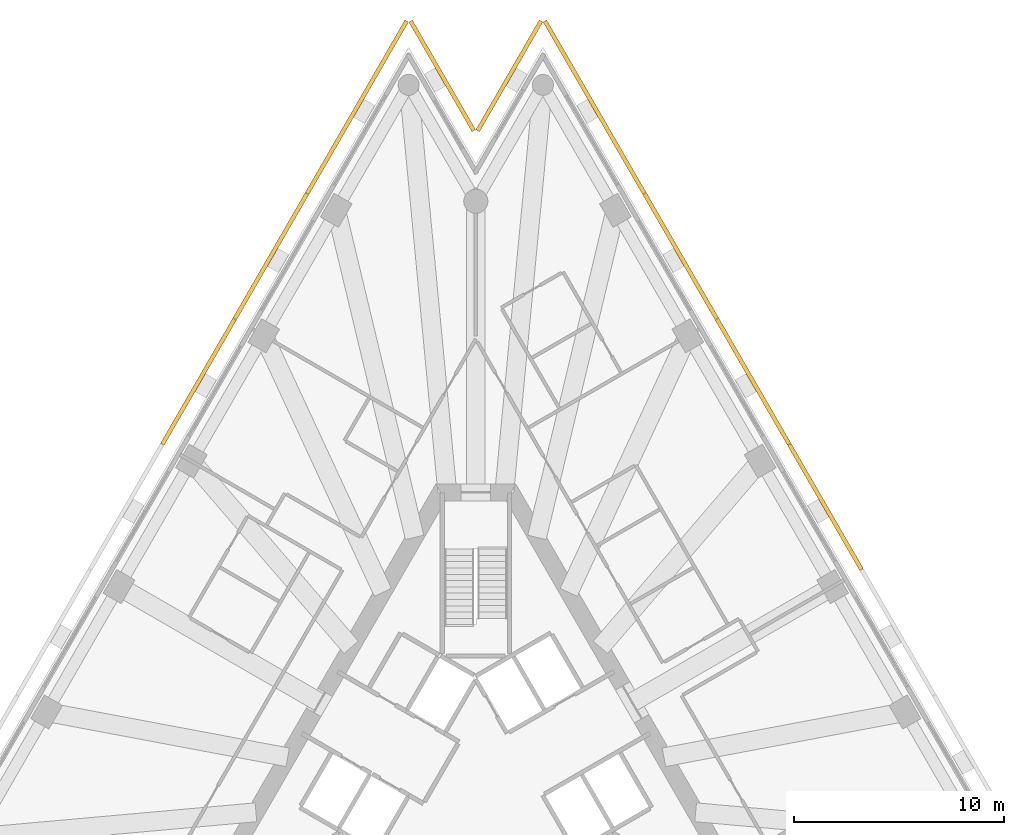
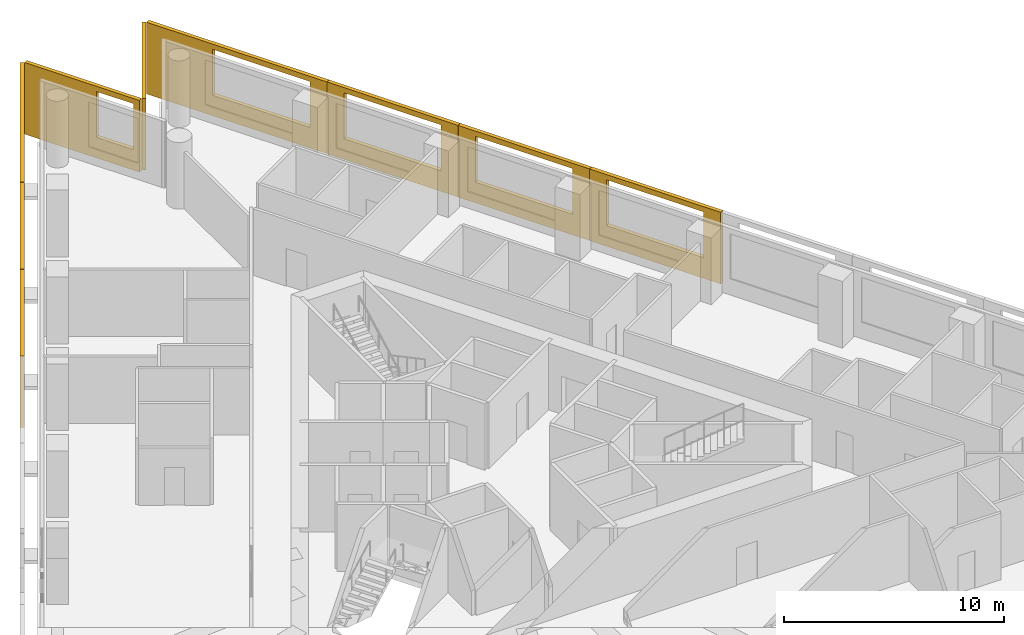
# One storey, part 10 of 10: 9 shading devices.
"""IFC4 building model written with IfcOpenShell, lengths in metres."""

from ifc_helpers import new_model, si_unit, direction, frame, origin, place, context, subcontext, project, spatial, polyline, outline, extrude, material, layer, layer_set, type_object, element, save


model = new_model("IFC4")

# Units and contexts
model_context = context("Model", 3, precision=1e-05, world=origin(), true_north=direction((0.0, 1.0)))
body_context = subcontext(model_context, "Body", "Model", "MODEL_VIEW")
ifc_project = project(units=[si_unit("LENGTHUNIT", "METRE"), si_unit("AREAUNIT", "SQUARE_METRE"), si_unit("VOLUMEUNIT", "CUBIC_METRE"), si_unit("PLANEANGLEUNIT", "RADIAN"), si_unit("MASSUNIT", "GRAM", prefix="KILO")], contexts=[model_context])

# Site, building, storey
site_placement = place(None, origin())
site = spatial("IfcSite", under=ifc_project, at=site_placement, CompositionType="ELEMENT")
building_placement = place(site_placement, origin())
building = spatial("IfcBuilding", under=site, at=building_placement, Name="Triada Interchange Tower", CompositionType="ELEMENT")
storey_placement = place(building_placement, frame((0.0, 0.0, 120.300048828125)))
storey = spatial("IfcBuildingStorey", under=building, at=storey_placement, Name="L27", CompositionType="ELEMENT", Elevation=120.300048828125)

# Shading devices
ifc_material = material(Name="Concrete C50/60 precast", Category="concrete")
ifc_layer_1 = layer(ifc_material, 0.02001953125, Name="Exposed aggregate face")
ifc_layer_2 = layer(ifc_material, 0.179931640625, Name="Precast concrete screen")
ifc_layer_set = layer_set([ifc_layer_1, ifc_layer_2], Name="Outer skin screen panel 3980")
shading_device_type = type_object("IfcShadingDeviceType", Name="Outer skin screen panel 3980", PredefinedType="SHUTTER", material=ifc_layer_set)
shading_device_1_placement = place(storey_placement, frame((-3.2041015625, 36.697998046875, -0.2900390625), z_axis=(0.0, 0.0, 1.0), x_axis=(-0.500001985578, -0.866024257407, 0.0)))
element("IfcShadingDevice", 1, at=shading_device_1_placement, inside=storey, type_object=shading_device_type, Name="Outer skin screen panel L27 01", PredefinedType="SHUTTER", context=body_context, shape_type="SweptSolid", body=[
    extrude(outline(polyline([(0.0, 0.0), (9.4755859375, 0.0), (9.4755859375, 3.97998046875), (0.0, 3.97998046875), (0.0, 0.0)]), holes=[polyline([(3.486572265625, 1.139892578125), (3.486572265625, 3.68994140625), (8.586669921875, 3.68994140625), (8.586669921875, 1.139892578125), (3.486572265625, 1.139892578125)])]), frame((0.0, 0.0, 0.0), z_axis=(0.0, -1.0, 0.0), x_axis=(1.0, 0.0, 0.0)), (0.0, 0.0, 1.0), 0.199951171875),
])
shading_device_2_placement = place(storey_placement, frame((-7.951904296875, 28.47509765625, -0.2900390625), z_axis=(0.0, 0.0, 1.0), x_axis=(-0.499990774396, -0.866030730124, 0.0)))
element("IfcShadingDevice", 2, at=shading_device_2_placement, inside=storey, type_object=shading_device_type, Name="Outer skin screen panel L27 02", PredefinedType="SHUTTER", context=body_context, shape_type="SweptSolid", body=[
    extrude(outline(polyline([(0.0, 0.0), (6.878662109375, 0.0), (6.878662109375, 3.97998046875), (0.0, 3.97998046875), (0.0, 0.0)]), holes=[polyline([(0.888671875, 1.139892578125), (0.888671875, 3.68994140625), (5.98876953125, 3.68994140625), (5.98876953125, 1.139892578125), (0.888671875, 1.139892578125)])]), frame((0.0, 0.0, 0.0), z_axis=(0.0, -1.0, 0.0), x_axis=(1.0, 0.0, 0.0)), (0.0, 0.0, 1.0), 0.199951171875),
])
shading_device_3_placement = place(storey_placement, frame((-11.40087890625, 22.5009765625, -0.2900390625), z_axis=(0.0, 0.0, 1.0), x_axis=(-0.499990774396, -0.866030730124, 0.0)))
element("IfcShadingDevice", 3, at=shading_device_3_placement, inside=storey, type_object=shading_device_type, Name="Outer skin screen panel L27 03", PredefinedType="SHUTTER", context=body_context, shape_type="SweptSolid", body=[
    extrude(outline(polyline([(0.0, 0.0), (6.878662109375, 0.0), (6.878662109375, 3.97998046875), (0.0, 3.97998046875), (0.0, 0.0)]), holes=[polyline([(0.888916015625, 1.139892578125), (0.888916015625, 3.68994140625), (5.98876953125, 3.68994140625), (5.98876953125, 1.139892578125), (0.888916015625, 1.139892578125)])]), frame((0.0, 0.0, 0.0), z_axis=(0.0, -1.0, 0.0), x_axis=(1.0, 0.0, 0.0)), (0.0, 0.0, 1.0), 0.199951171875),
])
shading_device_4_placement = place(storey_placement, frame((18.2890625, 10.571044921875, -0.2900390625), z_axis=(0.0, 0.0, 1.0), x_axis=(-0.500025633803, 0.866010603596, 0.0)))
element("IfcShadingDevice", 4, at=shading_device_4_placement, inside=storey, type_object=shading_device_type, Name="Outer skin screen panel L27 25", PredefinedType="SHUTTER", context=body_context, shape_type="SweptSolid", body=[
    extrude(outline(polyline([(0.0, 0.0), (6.877685546875, 0.0), (6.877685546875, 3.97998046875), (0.0, 3.97998046875), (0.0, 0.0)]), holes=[polyline([(0.888916015625, 1.139892578125), (0.888916015625, 3.68994140625), (5.98876953125, 3.68994140625), (5.98876953125, 1.139892578125), (0.888916015625, 1.139892578125)])]), frame((0.0, 0.0, 0.0), z_axis=(0.0, -1.0, 0.0), x_axis=(1.0, 0.0, 0.0)), (0.0, 0.0, 1.0), 0.199951171875),
])
shading_device_5_placement = place(storey_placement, frame((14.840087890625, 16.5439453125, -0.2900390625), z_axis=(0.0, 0.0, 1.0), x_axis=(-0.499990774396, 0.866030730124, 0.0)))
element("IfcShadingDevice", 5, at=shading_device_5_placement, inside=storey, type_object=shading_device_type, Name="Outer skin screen panel L27 26", PredefinedType="SHUTTER", context=body_context, shape_type="SweptSolid", body=[
    extrude(outline(polyline([(0.0, 0.0), (6.878662109375, 0.0), (6.878662109375, 3.97998046875), (0.0, 3.97998046875), (0.0, 0.0)]), holes=[polyline([(0.888916015625, 1.139892578125), (0.888916015625, 3.68994140625), (5.989013671875, 3.68994140625), (5.989013671875, 1.139892578125), (0.888916015625, 1.139892578125)])]), frame((0.0, 0.0, 0.0), z_axis=(0.0, -1.0, 0.0), x_axis=(1.0, 0.0, 0.0)), (0.0, 0.0, 1.0), 0.199951171875),
])
shading_device_6_placement = place(storey_placement, frame((11.39111328125, 22.51806640625, -0.2900390625), z_axis=(0.0, 0.0, 1.0), x_axis=(-0.499990774396, 0.866030730124, 0.0)))
element("IfcShadingDevice", 6, at=shading_device_6_placement, inside=storey, type_object=shading_device_type, Name="Outer skin screen panel L27 27", PredefinedType="SHUTTER", context=body_context, shape_type="SweptSolid", body=[
    extrude(outline(polyline([(0.0, 0.0), (6.878662109375, 0.0), (6.878662109375, 3.97998046875), (0.0, 3.97998046875), (0.0, 0.0)]), holes=[polyline([(0.88916015625, 1.139892578125), (0.88916015625, 3.68994140625), (5.989013671875, 3.68994140625), (5.989013671875, 1.139892578125), (0.88916015625, 1.139892578125)])]), frame((0.0, 0.0, 0.0), z_axis=(0.0, -1.0, 0.0), x_axis=(1.0, 0.0, 0.0)), (0.0, 0.0, 1.0), 0.199951171875),
])
shading_device_7_placement = place(storey_placement, frame((7.94189453125, 28.491943359375, -0.2900390625), z_axis=(0.0, 0.0, 1.0), x_axis=(-0.500001985578, 0.866024257407, 0.0)))
element("IfcShadingDevice", 7, at=shading_device_7_placement, inside=storey, type_object=shading_device_type, Name="Outer skin screen panel L27 28", PredefinedType="SHUTTER", context=body_context, shape_type="SweptSolid", body=[
    extrude(outline(polyline([(0.0, 0.0), (9.4755859375, 0.0), (9.4755859375, 3.97998046875), (0.0, 3.97998046875), (0.0, 0.0)]), holes=[polyline([(0.88916015625, 1.139892578125), (0.88916015625, 3.68994140625), (5.9892578125, 3.68994140625), (5.9892578125, 1.139892578125), (0.88916015625, 1.139892578125)])]), frame((0.0, 0.0, 0.0), z_axis=(0.0, -1.0, 0.0), x_axis=(1.0, 0.0, 0.0)), (0.0, 0.0, 1.0), 0.199951171875),
])
shading_device_8_placement = place(storey_placement, frame((3.194091796875, 36.697998046875, -0.2900390625), z_axis=(0.0, 0.0, 1.0), x_axis=(-0.50001324368, -0.866017757407, 0.0)))
element("IfcShadingDevice", 8, at=shading_device_8_placement, inside=storey, type_object=shading_device_type, Name="Outer skin screen panel L27 29", PredefinedType="SHUTTER", context=body_context, shape_type="SweptSolid", body=[
    extrude(outline(polyline([(0.0, 0.0), (6.031982421875, 0.0), (6.031982421875, 3.97998046875), (0.0, 3.97998046875), (0.0, 0.0)]), holes=[polyline([(3.17578125, 1.139892578125), (3.17578125, 3.68994140625), (5.732666015625, 3.68994140625), (5.732666015625, 1.139892578125), (3.17578125, 1.139892578125)])]), frame((0.0, 0.0, 0.0), z_axis=(0.0, -1.0, 0.0), x_axis=(1.0, 0.0, 0.0)), (0.0, 0.0, 1.0), 0.199951171875),
])
shading_device_9_placement = place(storey_placement, frame((-0.177978515625, 31.47412109375, -0.2900390625), z_axis=(0.0, 0.0, 1.0), x_axis=(-0.50001324368, 0.866017757407, 0.0)))
element("IfcShadingDevice", 9, at=shading_device_9_placement, inside=storey, type_object=shading_device_type, Name="Outer skin screen panel L27 30", PredefinedType="SHUTTER", context=body_context, shape_type="SweptSolid", body=[
    extrude(outline(polyline([(0.0, 0.0), (6.031982421875, 0.0), (6.031982421875, 3.97998046875), (0.0, 3.97998046875), (0.0, 0.0)]), holes=[polyline([(0.300048828125, 1.139892578125), (0.300048828125, 3.68994140625), (2.2578125, 3.68994140625), (2.2578125, 1.139892578125), (0.300048828125, 1.139892578125)])]), frame((0.0, 0.0, 0.0), z_axis=(0.0, -1.0, 0.0), x_axis=(1.0, 0.0, 0.0)), (0.0, 0.0, 1.0), 0.199951171875),
])

save(model, "model.ifc")
